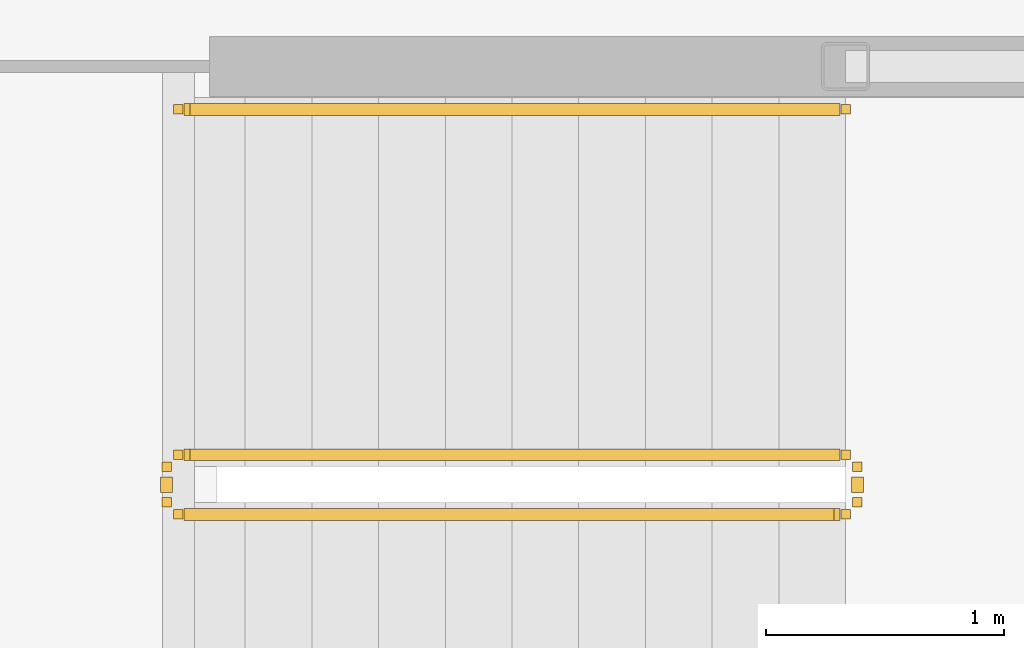
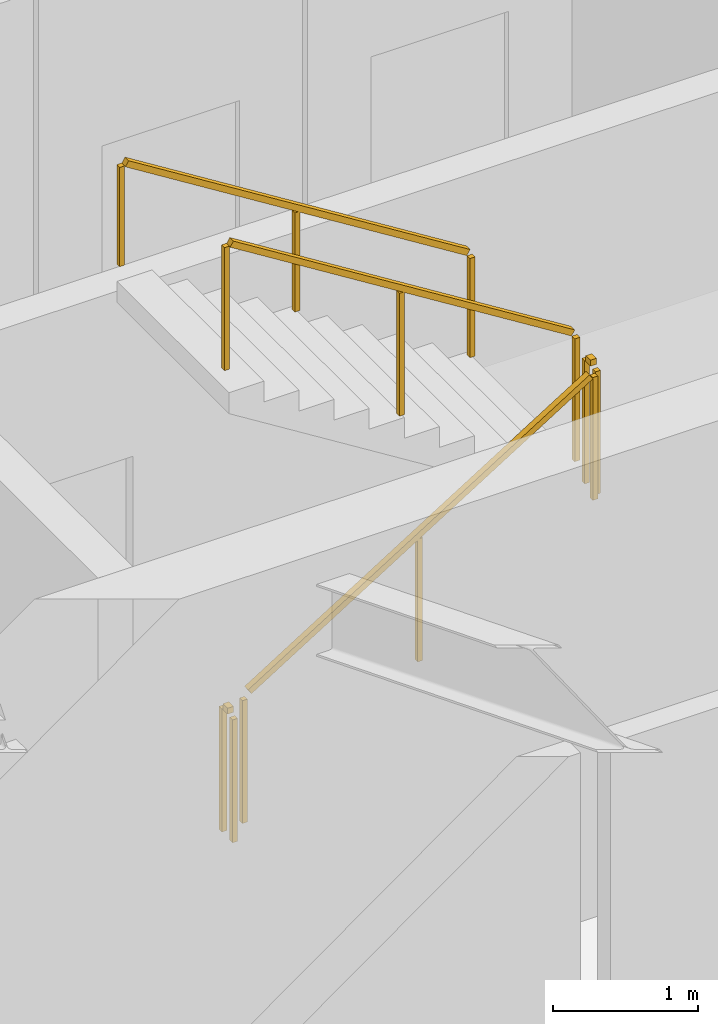
# One storey, part 27 of 30: 5 railings.
"""IFC4 building model written with IfcOpenShell, lengths in metres."""

from ifc_helpers import new_model, si_unit, direction, frame, origin, origin_2d, place, context, subcontext, project, spatial, rectangle, extrude, material, type_object, element, save


model = new_model("IFC4")

# Units and contexts
model_context = context("Model", 3, precision=1e-05, world=origin(), true_north=direction((0.0, 1.0)))
body_context = subcontext(model_context, "Body", "Model", "MODEL_VIEW")
ifc_project = project(units=[si_unit("LENGTHUNIT", "METRE"), si_unit("AREAUNIT", "SQUARE_METRE"), si_unit("VOLUMEUNIT", "CUBIC_METRE"), si_unit("PLANEANGLEUNIT", "RADIAN"), si_unit("MASSUNIT", "GRAM", prefix="KILO")], contexts=[model_context])

# Site, building, storey
site_placement = place(None, origin())
site = spatial("IfcSite", under=ifc_project, at=site_placement, CompositionType="ELEMENT")
building_placement = place(site_placement, origin())
building = spatial("IfcBuilding", under=site, at=building_placement, Name="Kazma Halo Residences", CompositionType="ELEMENT")
storey_placement = place(building_placement, frame((0.0, 0.0, 279.050048828125)))
storey = spatial("IfcBuildingStorey", under=building, at=storey_placement, Name="L70", CompositionType="ELEMENT", Elevation=279.050048828125)

# Railings
ifc_material_1 = material(Name="Painted Steel S355", Category="steel")
railing_type_1 = type_object("IfcRailingType", Name="RLG-STAIR-GRD-1100", PredefinedType="GUARDRAIL", material=ifc_material_1)
railing_1_placement = place(storey_placement, frame((53.199951171875, 35.5, 0.175048828125)))
element("IfcRailing", 1, at=railing_1_placement, inside=storey, type_object=railing_type_1, Name="L70 ST-03 stair guard 1", PredefinedType="GUARDRAIL", context=body_context, shape_type="SweptSolid", body=[
    extrude(rectangle(XDim=0.050048828125, YDim=0.050048828125, at=origin_2d()), frame((0.0361328125, 0.0, 1.09765625), z_axis=(0.848002457836, 0.0, 0.529992293815), x_axis=(0.0, 1.0, 0.0)), (0.0, 0.0, 1.0), 3.216796875),
    extrude(rectangle(XDim=0.0400390625, YDim=0.0400390625, at=origin_2d()), origin(), (0.0, 0.0, 1.0), 1.0380859375),
    extrude(rectangle(XDim=0.0400390625, YDim=0.0400390625, at=origin_2d()), frame((1.39990234375, 0.0, 0.875)), (0.0, 0.0, 1.0), 1.0380859375),
    extrude(rectangle(XDim=0.0400390625, YDim=0.0400390625, at=origin_2d()), frame((2.800048828125, 0.0, 1.75)), (0.0, 0.0, 1.0), 1.0380859375),
])
railing_2_placement = place(storey_placement, frame((56.050048828125, 35.550048828125, 1.925048828125)))
element("IfcRailing", 2, at=railing_2_placement, inside=storey, type_object=railing_type_1, Name="L70 ST-03 stair guard 2", PredefinedType="GUARDRAIL", context=body_context, shape_type="SweptSolid", body=[
    extrude(rectangle(XDim=0.050048828125, YDim=0.050048828125, at=origin_2d()), frame((0.0, 0.04248046875, 1.0751953125), z_axis=(0.0, 1.0, 0.0), x_axis=(-1.0, 0.0, 0.0)), (0.0, 0.0, 1.0), 0.06494140625),
    extrude(rectangle(XDim=0.0400390625, YDim=0.0400390625, at=origin_2d()), origin(), (0.0, 0.0, 1.0), 1.0380859375),
    extrude(rectangle(XDim=0.0400390625, YDim=0.0400390625, at=origin_2d()), frame((0.0, 0.14990234375, 0.0)), (0.0, 0.0, 1.0), 1.0380859375),
])
railing_3_placement = place(storey_placement, frame((56.0, 35.75, 2.099853515625)))
element("IfcRailing", 3, at=railing_3_placement, inside=storey, type_object=railing_type_1, Name="L70 ST-03 stair guard 3", PredefinedType="GUARDRAIL", context=body_context, shape_type="SweptSolid", body=[
    extrude(rectangle(XDim=0.050048828125, YDim=0.050048828125, at=origin_2d()), frame((-0.0361328125, 0.0, 1.09765625), z_axis=(-0.848002457836, 0.0, 0.529992293815), x_axis=(0.0, -1.0, 0.0)), (0.0, 0.0, 1.0), 3.216796875),
    extrude(rectangle(XDim=0.0400390625, YDim=0.0400390625, at=origin_2d()), origin(), (0.0, 0.0, 1.0), 1.0380859375),
    extrude(rectangle(XDim=0.0400390625, YDim=0.0400390625, at=origin_2d()), frame((-1.39990234375, 0.0, 0.875)), (0.0, 0.0, 1.0), 1.0380859375),
    extrude(rectangle(XDim=0.0400390625, YDim=0.0400390625, at=origin_2d()), frame((-2.800048828125, 0.0, 1.75)), (0.0, 0.0, 1.0), 1.0380859375),
])
railing_4_placement = place(storey_placement, frame((53.14990234375, 35.550048828125, 0.0)))
element("IfcRailing", 4, at=railing_4_placement, inside=storey, type_object=railing_type_1, Name="L70 ST-03 stair guard 4", PredefinedType="GUARDRAIL", context=body_context, shape_type="SweptSolid", body=[
    extrude(rectangle(XDim=0.050048828125, YDim=0.050048828125, at=origin_2d()), frame((0.0, 0.04248046875, 1.0751953125), z_axis=(0.0, 1.0, 0.0), x_axis=(-1.0, 0.0, 0.0)), (0.0, 0.0, 1.0), 0.06494140625),
    extrude(rectangle(XDim=0.0400390625, YDim=0.0400390625, at=origin_2d()), origin(), (0.0, 0.0, 1.0), 1.0380859375),
    extrude(rectangle(XDim=0.0400390625, YDim=0.0400390625, at=origin_2d()), frame((0.0, 0.14990234375, 0.0)), (0.0, 0.0, 1.0), 1.0380859375),
])
ifc_material_2 = material(Name="Brushed Stainless Steel", Category="steel")
railing_type_2 = type_object("IfcRailingType", Name="RLG-STAIR-HND-900", PredefinedType="HANDRAIL", material=ifc_material_2)
railing_5_placement = place(storey_placement, frame((56.0, 37.199951171875, 2.099853515625)))
element("IfcRailing", 5, at=railing_5_placement, inside=storey, type_object=railing_type_2, Name="L70 ST-03 stair handrail 2", PredefinedType="HANDRAIL", context=body_context, shape_type="SweptSolid", body=[
    extrude(rectangle(XDim=0.050048828125, YDim=0.050048828125, at=origin_2d()), frame((-0.0361328125, 0.0, 0.8974609375), z_axis=(-0.848002457836, 0.0, 0.529992293815), x_axis=(0.0, -1.0, 0.0)), (0.0, 0.0, 1.0), 3.216796875),
    extrude(rectangle(XDim=0.0400390625, YDim=0.0400390625, at=origin_2d()), origin(), (0.0, 0.0, 1.0), 0.837890625),
    extrude(rectangle(XDim=0.0400390625, YDim=0.0400390625, at=origin_2d()), frame((-1.39990234375, 0.0, 0.875)), (0.0, 0.0, 1.0), 0.837890625),
    extrude(rectangle(XDim=0.0400390625, YDim=0.0400390625, at=origin_2d()), frame((-2.800048828125, 0.0, 1.75)), (0.0, 0.0, 1.0), 0.837890625),
])

save(model, "model.ifc")
